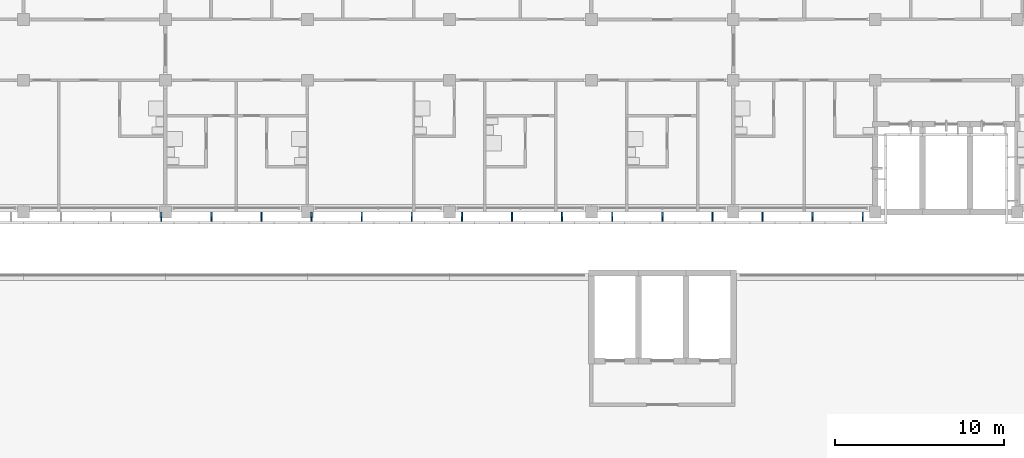
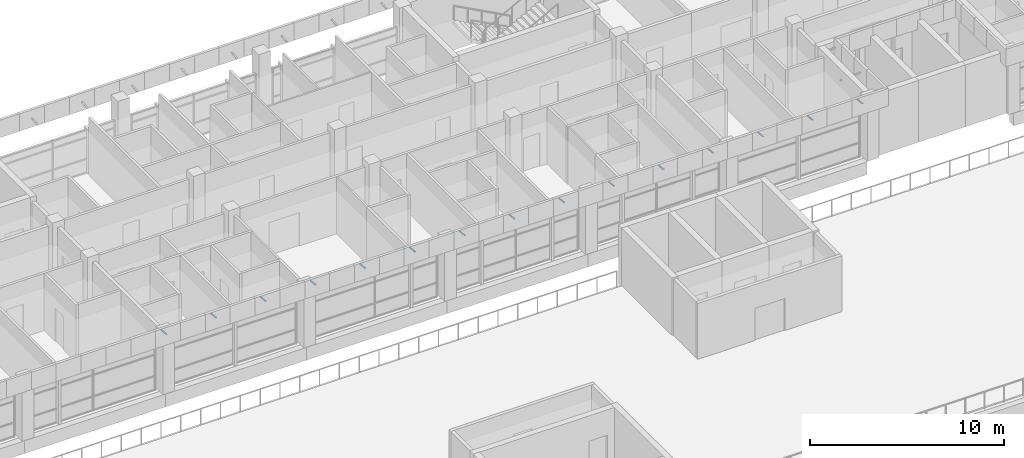
# One storey, part 33 of 46: 15 discrete accessories.
"""IFC4 building model written with IfcOpenShell, lengths in metres."""

from ifc_helpers import new_model, si_unit, direction, frame, origin, origin_2d, place, context, subcontext, project, spatial, rectangle, extrude, material, material_profile, profile_set, type_object, element, save


model = new_model("IFC4")

# Units and contexts
model_context = context("Model", 3, precision=1e-05, world=origin(), true_north=direction((0.0, 1.0)))
body_context = subcontext(model_context, "Body", "Model", "MODEL_VIEW")
ifc_project = project(units=[si_unit("LENGTHUNIT", "METRE"), si_unit("AREAUNIT", "SQUARE_METRE"), si_unit("VOLUMEUNIT", "CUBIC_METRE"), si_unit("PLANEANGLEUNIT", "RADIAN"), si_unit("MASSUNIT", "GRAM", prefix="KILO")], contexts=[model_context])

# Site, building, storey
site_placement = place(None, origin())
site = spatial("IfcSite", under=ifc_project, at=site_placement, CompositionType="ELEMENT")
building_placement = place(site_placement, origin())
building = spatial("IfcBuilding", under=site, at=building_placement, Name="Bougainvillea Quay General Hospital", CompositionType="ELEMENT")
storey_placement = place(building_placement, frame((0.0, 0.0, 28.800048828125)))
storey = spatial("IfcBuildingStorey", under=building, at=storey_placement, Name="L06", CompositionType="ELEMENT", Elevation=28.800048828125)

# Discrete accessories
ifc_material = material(Name="Stainless steel bracket, grade 316", Category="steel")
ifc_material_profile = material_profile(ifc_material, rectangle(XDim=0.080078125, YDim=0.050048828125, at=origin_2d()))
ifc_profile_set = profile_set([ifc_material_profile], Name="Stainless steel bracket, grade 316")
discrete_accessory_type = type_object("IfcDiscreteAccessoryType", Name="Stainless steel stand-off bracket 80x50", PredefinedType="BRACKET", material=ifc_profile_set)
for number, where, z_axis, x_axis, name in (
    (1, (108.952880859375, 140.39990234375, 3.83984375), (0.0, -0.994086591779, 0.108590276011), (1.0, 0.0, 0.0), "Fascia bracket e0 163"),
    (2, (111.917724609375, 140.39990234375, 3.83984375), (0.0, -0.994086591779, 0.108590276011), (1.0, 0.0, 0.0), "Fascia bracket e0 165"),
    (3, (114.88232421875, 140.39990234375, 3.83984375), (0.0, -0.994086591779, 0.108590276011), (1.0, 0.0, 0.0), "Fascia bracket e0 167"),
    (4, (117.84716796875, 140.39990234375, 3.83984375), (0.0, -0.994086591779, 0.108590276011), (1.0, 0.0, 0.0), "Fascia bracket e0 169"),
    (5, (120.811767578125, 140.39990234375, 3.83984375), (0.0, -0.994086591779, 0.108590276011), (1.0, 0.0, 0.0), "Fascia bracket e0 171"),
    (6, (123.7763671875, 140.39990234375, 3.83984375), (0.0, -0.994086591779, 0.108590276011), (1.0, 0.0, 0.0), "Fascia bracket e0 173"),
    (7, (126.7412109375, 140.39990234375, 3.83984375), (0.0, -0.994086591779, 0.108590276011), (1.0, 0.0, 0.0), "Fascia bracket e0 175"),
    (8, (129.705810546875, 140.39990234375, 3.83984375), (0.0, -0.994086591779, 0.108590276011), (1.0, 0.0, 0.0), "Fascia bracket e0 177"),
    (9, (132.670654296875, 140.39990234375, 3.83984375), (0.0, -0.994086591779, 0.108590276011), (1.0, 0.0, 0.0), "Fascia bracket e0 179"),
    (10, (135.63525390625, 140.39990234375, 3.83984375), (0.0, -0.994086591779, 0.108590276011), (1.0, 0.0, 0.0), "Fascia bracket e0 181"),
    (11, (138.60009765625, 140.39990234375, 3.83984375), (0.0, -0.994086591779, 0.108590276011), (1.0, 0.0, 0.0), "Fascia bracket e0 183"),
    (12, (141.564697265625, 140.39990234375, 3.83984375), (0.0, -0.994086591779, 0.108590276011), (1.0, 0.0, 0.0), "Fascia bracket e0 185"),
    (13, (144.529296875, 140.39990234375, 3.83984375), (0.0, -0.994086591779, 0.108590276011), (1.0, 0.0, 0.0), "Fascia bracket e0 187"),
    (14, (147.494140625, 140.39990234375, 3.83984375), (0.0, -0.994086591779, 0.108590276011), (1.0, 0.0, 0.0), "Fascia bracket e0 189"),
    (15, (150.458740234375, 140.39990234375, 3.83984375), (0.0, -0.994086591779, 0.108590276011), (1.0, 0.0, 0.0), "Fascia bracket e0 191"),
):
    element("IfcDiscreteAccessory", number, at=place(storey_placement, frame(where, z_axis=z_axis, x_axis=x_axis)), inside=storey, type_object=discrete_accessory_type, Name=name, PredefinedType="BRACKET", context=body_context, shape_type="SweptSolid", body=[
        extrude(rectangle(XDim=0.080078125, YDim=0.050048828125, at=origin_2d()), origin(), (0.0, 0.0, 1.0), 0.552978515625),
    ])

save(model, "model.ifc")
